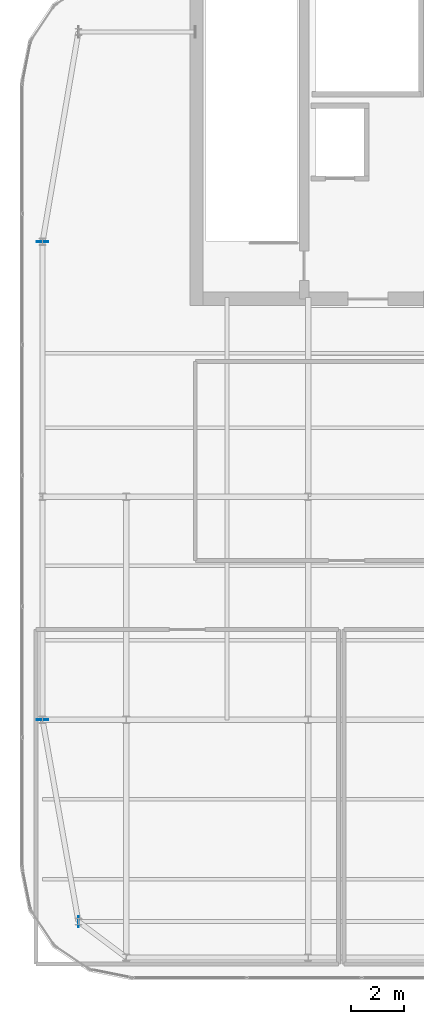
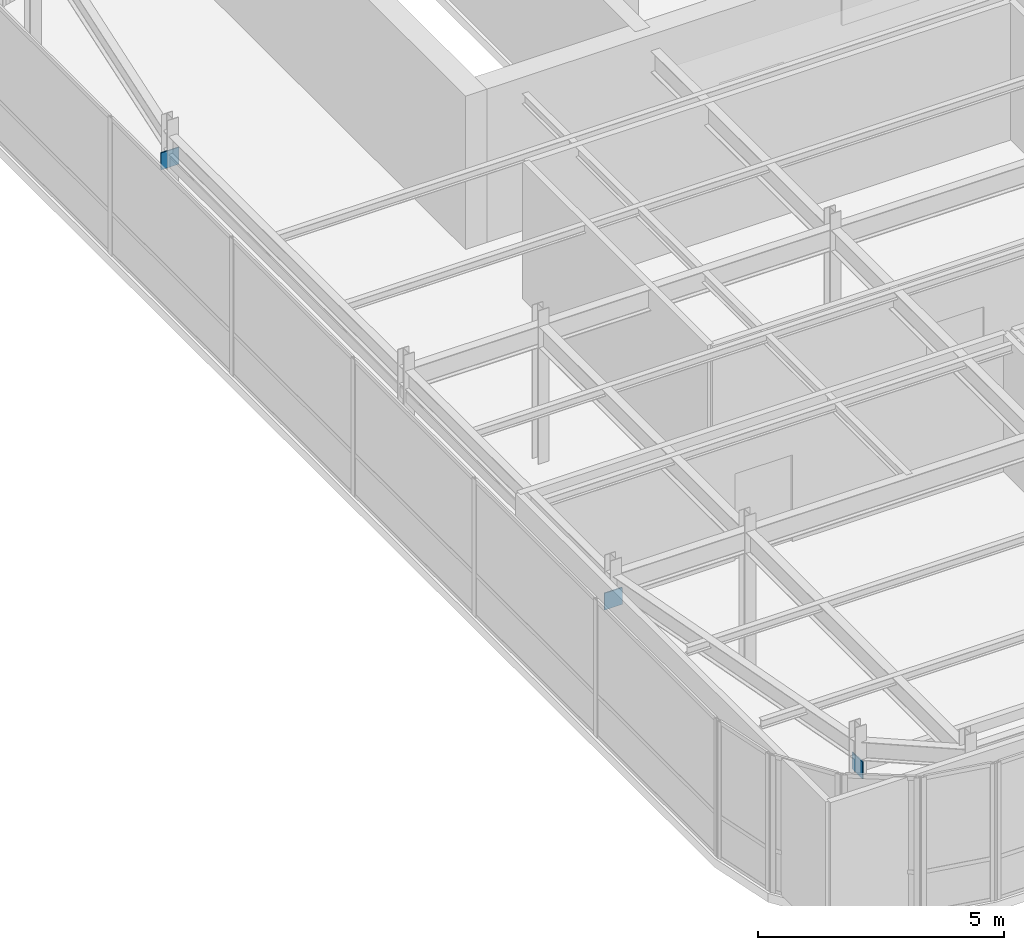
# One storey, part 31 of 35: 3 plates.
"""IFC4 building model written with IfcOpenShell, lengths in metres."""

from ifc_helpers import new_model, si_unit, direction, frame, origin, origin_2d, place, context, subcontext, project, spatial, rectangle, extrude, source, transform, mapped, material, layer, layer_set, type_object, type_shapes, element, save


model = new_model("IFC4")

# Units and contexts
model_context = context("Model", 3, precision=1e-05, world=origin(), true_north=direction((0.0, 1.0)))
body_context = subcontext(model_context, "Body", "Model", "MODEL_VIEW")
ifc_project = project(units=[si_unit("LENGTHUNIT", "METRE"), si_unit("AREAUNIT", "SQUARE_METRE"), si_unit("VOLUMEUNIT", "CUBIC_METRE"), si_unit("PLANEANGLEUNIT", "RADIAN"), si_unit("MASSUNIT", "GRAM", prefix="KILO")], contexts=[model_context])

# Site, building, storey
site_placement = place(None, origin())
site = spatial("IfcSite", under=ifc_project, at=site_placement, CompositionType="ELEMENT")
building_placement = place(site_placement, origin())
building = spatial("IfcBuilding", under=site, at=building_placement, Name="Tolvann Quenvar Hotel", CompositionType="ELEMENT")
storey_placement = place(building_placement, frame((0.0, 0.0, 309.949951171875)))
storey = spatial("IfcBuildingStorey", under=building, at=storey_placement, Name="L82", CompositionType="ELEMENT", Elevation=309.949951171875)

# Plates
ifc_material = material(Name="Steel Grade 350", Category="steel")
ifc_layer = layer(ifc_material, 0.02490234375)
ifc_layer_set = layer_set([ifc_layer], Name="Steel Grade 350")
plate_type = type_object("IfcPlateType", Name="PLT_ENDCAP_25", PredefinedType="SHEET", material=ifc_layer_set)
shared_shape_1 = source(origin(), body_context, "Body", "SweptSolid", [
    extrude(rectangle(XDim=0.02490234375, YDim=0.419921875, at=origin_2d()), origin(), (0.0, 0.0, 1.0), 0.419921875),
])
plate_placement = place(storey_placement, frame((5.800048828125, 8.39990234375, 2.5400390625), z_axis=(0.0, 0.0, 1.0), x_axis=(1.0, 0.0, 0.0)))
element("IfcPlate", 1, at=plate_placement, inside=storey, type_object=plate_type, Name="Crown Ring End Cap Plate EC-1 (L82-1-1)", PredefinedType="SHEET", context=body_context, shape_type="MappedRepresentation", body=[
    mapped(shared_shape_1, transform((0.0, 0.0, 0.0), x_axis=(1.0, 0.0, 0.0), y_axis=(0.0, 1.0, 0.0), z_axis=(0.0, 0.0, 1.0), scale=1.0)),
])
shared_shape_2 = source(origin(), body_context, "Body", "SweptSolid", [
    extrude(rectangle(XDim=0.419921875, YDim=0.02490234375, at=origin_2d()), origin(), (0.0, 0.0, 1.0), 0.419921875),
])
type_shapes(plate_type, [shared_shape_1, shared_shape_2])
for number, where, z_axis, x_axis, name in (
    (2, (4.449951171875, 16.0, 2.5400390625), (0.0, 0.0, 1.0), (1.0, 0.0, 0.0), "Crown Ring End Cap Plate EC-1 (L82-2-1)"),
    (3, (4.449951171875, 34.0, 2.5400390625), (0.0, 0.0, 1.0), (1.0, 0.0, 0.0), "Crown Ring End Cap Plate EC-1 (L82-2-2)"),
):
    element("IfcPlate", number, at=place(storey_placement, frame(where, z_axis=z_axis, x_axis=x_axis)), inside=storey, type_object=plate_type, Name=name, PredefinedType="SHEET", context=body_context, shape_type="MappedRepresentation", body=[
        mapped(shared_shape_2, transform((0.0, 0.0, 0.0), x_axis=(1.0, 0.0, 0.0), y_axis=(0.0, 1.0, 0.0), z_axis=(0.0, 0.0, 1.0), scale=1.0)),
    ])

save(model, "model.ifc")
